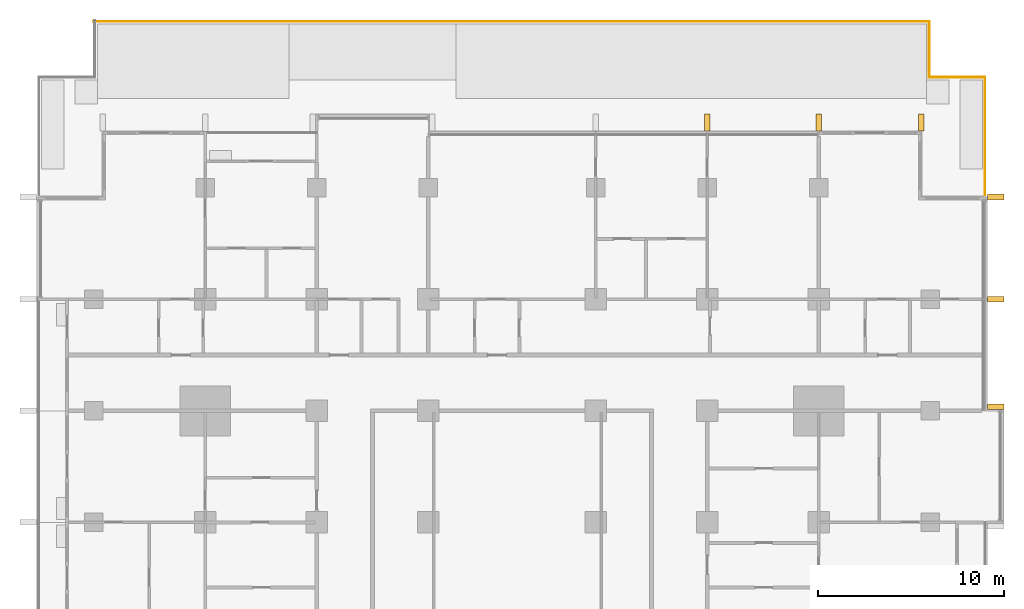
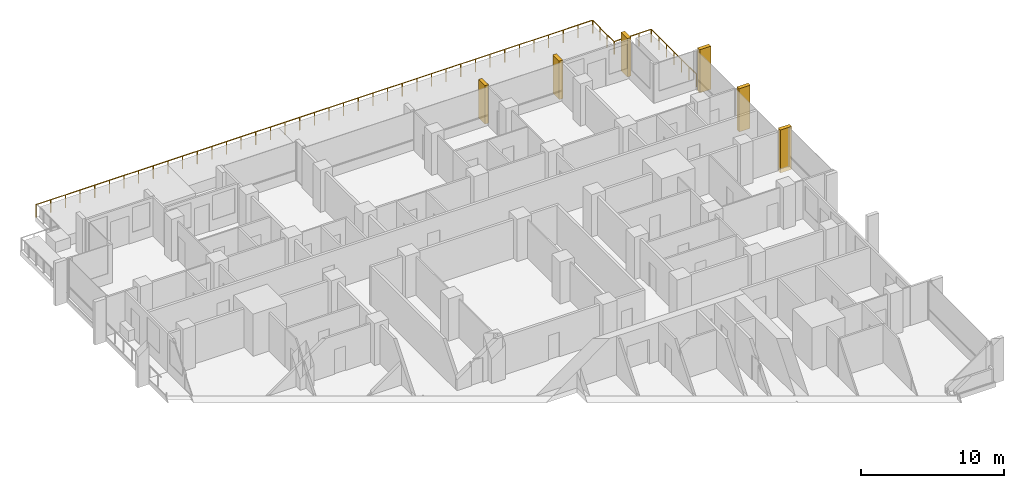
# One storey, part 19 of 19: 6 shading devices, 4 railings.
"""IFC4 building model written with IfcOpenShell, lengths in metres."""

from ifc_helpers import new_model, si_unit, direction, frame, origin, origin_2d, place, context, subcontext, project, spatial, rectangle, circle, extrude, material, type_object, element, save


model = new_model("IFC4")

# Units and contexts
model_context = context("Model", 3, precision=1e-05, world=origin(), true_north=direction((0.0, 1.0)))
body_context = subcontext(model_context, "Body", "Model", "MODEL_VIEW")
ifc_project = project(units=[si_unit("LENGTHUNIT", "METRE"), si_unit("AREAUNIT", "SQUARE_METRE"), si_unit("VOLUMEUNIT", "CUBIC_METRE"), si_unit("PLANEANGLEUNIT", "RADIAN"), si_unit("MASSUNIT", "GRAM", prefix="KILO")], contexts=[model_context])

# Site, building, storey
site_placement = place(None, origin())
site = spatial("IfcSite", under=ifc_project, at=site_placement, CompositionType="ELEMENT")
building_placement = place(site_placement, origin())
building = spatial("IfcBuilding", under=site, at=building_placement, Name="Finial Court Residences", CompositionType="ELEMENT")
storey_placement = place(building_placement, frame((0.0, 0.0, 81.10009765625)))
storey = spatial("IfcBuildingStorey", under=building, at=storey_placement, Name="L19", CompositionType="ELEMENT", Elevation=81.10009765625)

# Shading devices
ifc_material_1 = material(Name="Natural limestone", Category="masonry")
shading_device_type = type_object("IfcShadingDeviceType", Name="Limestone fin 300 x 900", PredefinedType="USERDEFINED", material=ifc_material_1)
for number, where, z_axis, x_axis, name in (
    (1, (10.5, 23.010009765625, 0.0), (0.0, 0.0, 1.0), (1.0, 0.0, 0.0), "E-L19-FIN-N6"),
    (2, (16.5, 23.010009765625, 0.0), (0.0, 0.0, 1.0), (1.0, 0.0, 0.0), "E-L19-FIN-N7"),
    (3, (22.0, 23.010009765625, 0.0), (0.0, 0.0, 1.0), (1.0, 0.0, 0.0), "E-L19-FIN-N8"),
):
    element("IfcShadingDevice", number, at=place(storey_placement, frame(where, z_axis=z_axis, x_axis=x_axis)), inside=storey, type_object=shading_device_type, Name=name, ObjectType="FIN", PredefinedType="USERDEFINED", context=body_context, shape_type="SweptSolid", body=[
        extrude(rectangle(XDim=0.300048828125, YDim=0.89990234375, at=origin_2d()), origin(), (0.0, 0.0, 1.0), 3.280029296875),
    ])
for number, where, z_axis, x_axis, name in (
    (4, (26.010009765625, 7.7099609375, -0.39990234375), (0.0, 0.0, 1.0), (1.0, 0.0, 0.0), "E-L19-FIN-E13"),
    (5, (26.010009765625, 13.5, -0.39990234375), (0.0, 0.0, 1.0), (1.0, 0.0, 0.0), "E-L19-FIN-E14"),
    (6, (26.010009765625, 19.0, -0.39990234375), (0.0, 0.0, 1.0), (1.0, 0.0, 0.0), "E-L19-FIN-E15"),
):
    element("IfcShadingDevice", number, at=place(storey_placement, frame(where, z_axis=z_axis, x_axis=x_axis)), inside=storey, type_object=shading_device_type, Name=name, ObjectType="FIN", PredefinedType="USERDEFINED", context=body_context, shape_type="SweptSolid", body=[
        extrude(rectangle(XDim=0.89990234375, YDim=0.300048828125, at=origin_2d()), origin(), (0.0, 0.0, 1.0), 3.679931640625),
    ])

# Railings
ifc_material_2 = material(Name="Bronze anodised aluminium", Category="aluminium")
railing_type = type_object("IfcRailingType", Name="Terrace guard 1100", PredefinedType="GUARDRAIL", material=ifc_material_2)
railing_1_placement = place(storey_placement, frame((-22.5, 28.43994140625, 0.0)))
element("IfcRailing", 7, at=railing_1_placement, inside=storey, type_object=railing_type, Name="E-L19-TER1-R1-1", PredefinedType="GUARDRAIL", context=body_context, shape_type="SweptSolid", body=[
    extrude(circle(Radius=0.02392578125, at=origin_2d()), frame((0.0, 0.0, 1.076171875), z_axis=(1.0, 0.0, 0.0), x_axis=(0.0, 1.0, 0.0)), (0.0, 0.0, 1.0), 44.93994140625),
    extrude(circle(Radius=0.02099609375, at=origin_2d()), origin(), (0.0, 0.0, 1.0), 1.052001953125),
    extrude(circle(Radius=0.02099609375, at=origin_2d()), frame((1.1826171875, 0.0, 0.0)), (0.0, 0.0, 1.0), 1.052001953125),
    extrude(circle(Radius=0.02099609375, at=origin_2d()), frame((2.365234375, 0.0, 0.0)), (0.0, 0.0, 1.0), 1.052001953125),
    extrude(circle(Radius=0.02099609375, at=origin_2d()), frame((3.5478515625, 0.0, 0.0)), (0.0, 0.0, 1.0), 1.052001953125),
    extrude(circle(Radius=0.02099609375, at=origin_2d()), frame((4.73046875, 0.0, 0.0)), (0.0, 0.0, 1.0), 1.052001953125),
    extrude(circle(Radius=0.02099609375, at=origin_2d()), frame((5.9130859375, 0.0, 0.0)), (0.0, 0.0, 1.0), 1.052001953125),
    extrude(circle(Radius=0.02099609375, at=origin_2d()), frame((7.095703125, 0.0, 0.0)), (0.0, 0.0, 1.0), 1.052001953125),
    extrude(circle(Radius=0.02099609375, at=origin_2d()), frame((8.2783203125, 0.0, 0.0)), (0.0, 0.0, 1.0), 1.052001953125),
    extrude(circle(Radius=0.02099609375, at=origin_2d()), frame((9.4609375, 0.0, 0.0)), (0.0, 0.0, 1.0), 1.052001953125),
    extrude(circle(Radius=0.02099609375, at=origin_2d()), frame((10.6435546875, 0.0, 0.0)), (0.0, 0.0, 1.0), 1.052001953125),
    extrude(circle(Radius=0.02099609375, at=origin_2d()), frame((11.826416015625, 0.0, 0.0)), (0.0, 0.0, 1.0), 1.052001953125),
    extrude(circle(Radius=0.02099609375, at=origin_2d()), frame((13.009033203125, 0.0, 0.0)), (0.0, 0.0, 1.0), 1.052001953125),
    extrude(circle(Radius=0.02099609375, at=origin_2d()), frame((14.191650390625, 0.0, 0.0)), (0.0, 0.0, 1.0), 1.052001953125),
    extrude(circle(Radius=0.02099609375, at=origin_2d()), frame((15.374267578125, 0.0, 0.0)), (0.0, 0.0, 1.0), 1.052001953125),
    extrude(circle(Radius=0.02099609375, at=origin_2d()), frame((16.556884765625, 0.0, 0.0)), (0.0, 0.0, 1.0), 1.052001953125),
    extrude(circle(Radius=0.02099609375, at=origin_2d()), frame((17.739501953125, 0.0, 0.0)), (0.0, 0.0, 1.0), 1.052001953125),
    extrude(circle(Radius=0.02099609375, at=origin_2d()), frame((18.922119140625, 0.0, 0.0)), (0.0, 0.0, 1.0), 1.052001953125),
    extrude(circle(Radius=0.02099609375, at=origin_2d()), frame((20.104736328125, 0.0, 0.0)), (0.0, 0.0, 1.0), 1.052001953125),
    extrude(circle(Radius=0.02099609375, at=origin_2d()), frame((21.287353515625, 0.0, 0.0)), (0.0, 0.0, 1.0), 1.052001953125),
    extrude(circle(Radius=0.02099609375, at=origin_2d()), frame((22.469970703125, 0.0, 0.0)), (0.0, 0.0, 1.0), 1.052001953125),
    extrude(circle(Radius=0.02099609375, at=origin_2d()), frame((23.652587890625, 0.0, 0.0)), (0.0, 0.0, 1.0), 1.052001953125),
    extrude(circle(Radius=0.02099609375, at=origin_2d()), frame((24.835205078125, 0.0, 0.0)), (0.0, 0.0, 1.0), 1.052001953125),
    extrude(circle(Radius=0.02099609375, at=origin_2d()), frame((26.017822265625, 0.0, 0.0)), (0.0, 0.0, 1.0), 1.052001953125),
    extrude(circle(Radius=0.02099609375, at=origin_2d()), frame((27.200439453125, 0.0, 0.0)), (0.0, 0.0, 1.0), 1.052001953125),
    extrude(circle(Radius=0.02099609375, at=origin_2d()), frame((28.383056640625, 0.0, 0.0)), (0.0, 0.0, 1.0), 1.052001953125),
    extrude(circle(Radius=0.02099609375, at=origin_2d()), frame((29.565673828125, 0.0, 0.0)), (0.0, 0.0, 1.0), 1.052001953125),
    extrude(circle(Radius=0.02099609375, at=origin_2d()), frame((30.748291015625, 0.0, 0.0)), (0.0, 0.0, 1.0), 1.052001953125),
    extrude(circle(Radius=0.02099609375, at=origin_2d()), frame((31.930908203125, 0.0, 0.0)), (0.0, 0.0, 1.0), 1.052001953125),
    extrude(circle(Radius=0.02099609375, at=origin_2d()), frame((33.113525390625, 0.0, 0.0)), (0.0, 0.0, 1.0), 1.052001953125),
    extrude(circle(Radius=0.02099609375, at=origin_2d()), frame((34.29638671875, 0.0, 0.0)), (0.0, 0.0, 1.0), 1.052001953125),
    extrude(circle(Radius=0.02099609375, at=origin_2d()), frame((35.47900390625, 0.0, 0.0)), (0.0, 0.0, 1.0), 1.052001953125),
    extrude(circle(Radius=0.02099609375, at=origin_2d()), frame((36.66162109375, 0.0, 0.0)), (0.0, 0.0, 1.0), 1.052001953125),
    extrude(circle(Radius=0.02099609375, at=origin_2d()), frame((37.84423828125, 0.0, 0.0)), (0.0, 0.0, 1.0), 1.052001953125),
    extrude(circle(Radius=0.02099609375, at=origin_2d()), frame((39.02685546875, 0.0, 0.0)), (0.0, 0.0, 1.0), 1.052001953125),
    extrude(circle(Radius=0.02099609375, at=origin_2d()), frame((40.20947265625, 0.0, 0.0)), (0.0, 0.0, 1.0), 1.052001953125),
    extrude(circle(Radius=0.02099609375, at=origin_2d()), frame((41.39208984375, 0.0, 0.0)), (0.0, 0.0, 1.0), 1.052001953125),
    extrude(circle(Radius=0.02099609375, at=origin_2d()), frame((42.57470703125, 0.0, 0.0)), (0.0, 0.0, 1.0), 1.052001953125),
    extrude(circle(Radius=0.02099609375, at=origin_2d()), frame((43.75732421875, 0.0, 0.0)), (0.0, 0.0, 1.0), 1.052001953125),
    extrude(circle(Radius=0.02099609375, at=origin_2d()), frame((44.93994140625, 0.0, 0.0)), (0.0, 0.0, 1.0), 1.052001953125),
])
railing_2_placement = place(storey_placement, frame((22.43994140625, 28.389892578125, 0.0)))
element("IfcRailing", 8, at=railing_2_placement, inside=storey, type_object=railing_type, Name="E-L19-TER1-R1-2", PredefinedType="GUARDRAIL", context=body_context, shape_type="SweptSolid", body=[
    extrude(circle(Radius=0.02392578125, at=origin_2d()), frame((0.0, 0.0, 1.076171875), z_axis=(0.0, -1.0, 0.0), x_axis=(1.0, 0.0, 0.0)), (0.0, 0.0, 1.0), 2.949951171875),
    extrude(circle(Radius=0.02099609375, at=origin_2d()), origin(), (0.0, 0.0, 1.0), 1.052001953125),
    extrude(circle(Radius=0.02099609375, at=origin_2d()), frame((0.0, -0.9833984375, 0.0)), (0.0, 0.0, 1.0), 1.052001953125),
    extrude(circle(Radius=0.02099609375, at=origin_2d()), frame((0.0, -1.966552734375, 0.0)), (0.0, 0.0, 1.0), 1.052001953125),
    extrude(circle(Radius=0.02099609375, at=origin_2d()), frame((0.0, -2.949951171875, 0.0)), (0.0, 0.0, 1.0), 1.052001953125),
])
railing_3_placement = place(storey_placement, frame((22.489990234375, 25.43994140625, 0.0)))
element("IfcRailing", 9, at=railing_3_placement, inside=storey, type_object=railing_type, Name="E-L19-TER1-R1-3", PredefinedType="GUARDRAIL", context=body_context, shape_type="SweptSolid", body=[
    extrude(circle(Radius=0.02392578125, at=origin_2d()), frame((0.0, 0.0, 1.076171875), z_axis=(1.0, 0.0, 0.0), x_axis=(0.0, 1.0, 0.0)), (0.0, 0.0, 1.0), 2.949951171875),
    extrude(circle(Radius=0.02099609375, at=origin_2d()), origin(), (0.0, 0.0, 1.0), 1.052001953125),
    extrude(circle(Radius=0.02099609375, at=origin_2d()), frame((0.9833984375, 0.0, 0.0)), (0.0, 0.0, 1.0), 1.052001953125),
    extrude(circle(Radius=0.02099609375, at=origin_2d()), frame((1.966552734375, 0.0, 0.0)), (0.0, 0.0, 1.0), 1.052001953125),
    extrude(circle(Radius=0.02099609375, at=origin_2d()), frame((2.949951171875, 0.0, 0.0)), (0.0, 0.0, 1.0), 1.052001953125),
])
railing_4_placement = place(storey_placement, frame((25.43994140625, 25.389892578125, 0.0)))
element("IfcRailing", 10, at=railing_4_placement, inside=storey, type_object=railing_type, Name="E-L19-TER1-R1-4", PredefinedType="GUARDRAIL", context=body_context, shape_type="SweptSolid", body=[
    extrude(circle(Radius=0.02392578125, at=origin_2d()), frame((0.0, 0.0, 1.076171875), z_axis=(0.0, -1.0, 0.0), x_axis=(1.0, 0.0, 0.0)), (0.0, 0.0, 1.0), 6.269775390625),
    extrude(circle(Radius=0.02099609375, at=origin_2d()), origin(), (0.0, 0.0, 1.0), 1.052001953125),
    extrude(circle(Radius=0.02099609375, at=origin_2d()), frame((0.0, -1.044921875, 0.0)), (0.0, 0.0, 1.0), 1.052001953125),
    extrude(circle(Radius=0.02099609375, at=origin_2d()), frame((0.0, -2.08984375, 0.0)), (0.0, 0.0, 1.0), 1.052001953125),
    extrude(circle(Radius=0.02099609375, at=origin_2d()), frame((0.0, -3.134765625, 0.0)), (0.0, 0.0, 1.0), 1.052001953125),
    extrude(circle(Radius=0.02099609375, at=origin_2d()), frame((0.0, -4.179931640625, 0.0)), (0.0, 0.0, 1.0), 1.052001953125),
    extrude(circle(Radius=0.02099609375, at=origin_2d()), frame((0.0, -5.224853515625, 0.0)), (0.0, 0.0, 1.0), 1.052001953125),
    extrude(circle(Radius=0.02099609375, at=origin_2d()), frame((0.0, -6.269775390625, 0.0)), (0.0, 0.0, 1.0), 1.052001953125),
])

save(model, "model.ifc")
